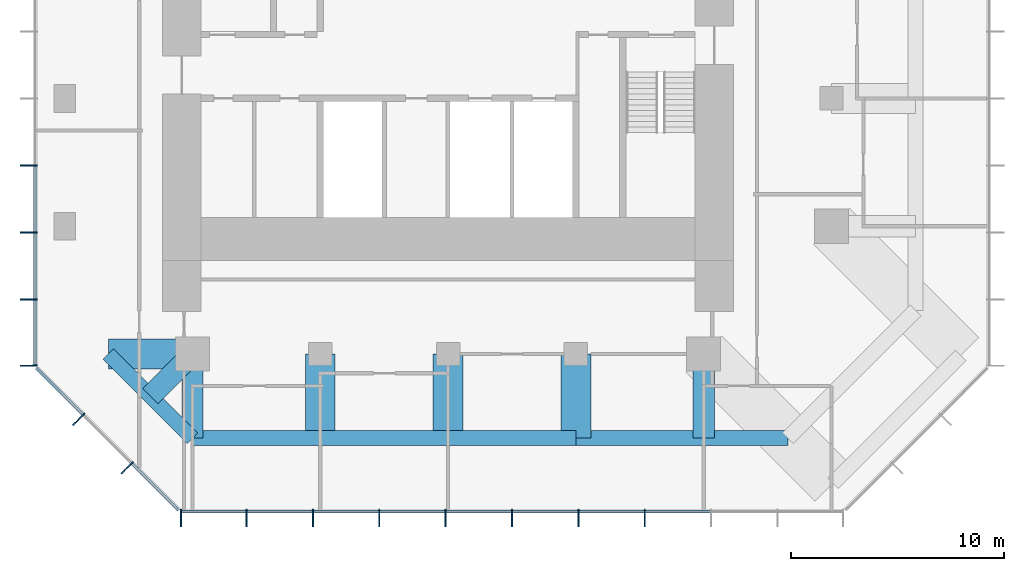
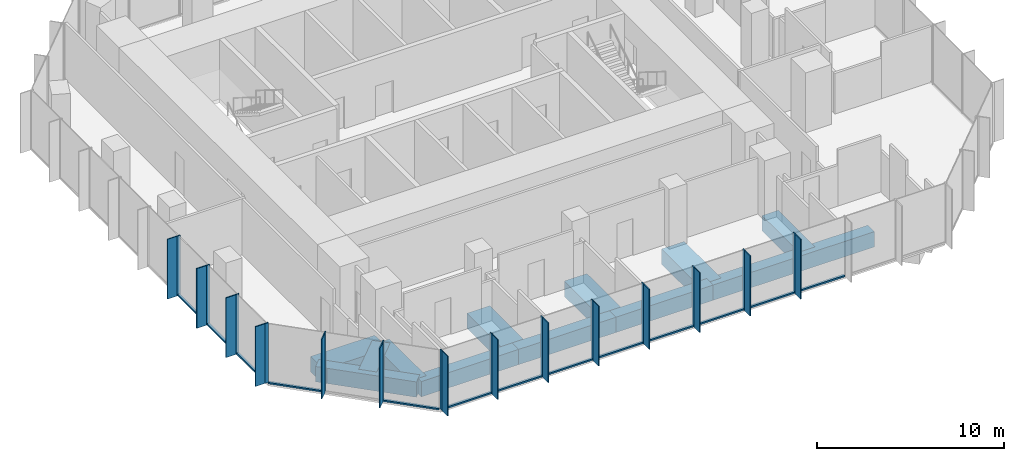
# One storey, part 2 of 11: 41 members, 12 beams, 3 elements without a shape of their own.
"""IFC4 building model written with IfcOpenShell, lengths in metres."""

from ifc_helpers import new_model, si_unit, direction, frame, origin, origin_2d, place, context, subcontext, project, spatial, rectangle, extrude, material, layer, layer_set, material_profile, profile_set, type_object, element, aggregate, save


model = new_model("IFC4")

# Units and contexts
model_context = context("Model", 3, precision=1e-05, world=origin(), true_north=direction((0.0, 1.0)))
body_context = subcontext(model_context, "Body", "Model", "MODEL_VIEW")
ifc_project = project(units=[si_unit("LENGTHUNIT", "METRE"), si_unit("AREAUNIT", "SQUARE_METRE"), si_unit("VOLUMEUNIT", "CUBIC_METRE"), si_unit("PLANEANGLEUNIT", "RADIAN"), si_unit("MASSUNIT", "GRAM", prefix="KILO")], contexts=[model_context])

# Site, building, storey
site_placement = place(None, origin())
site = spatial("IfcSite", under=ifc_project, at=site_placement, CompositionType="ELEMENT")
building_placement = place(site_placement, origin())
building = spatial("IfcBuilding", under=site, at=building_placement, Name="Highveld Stack Headquarters", CompositionType="ELEMENT")
storey_placement = place(building_placement, frame((0.0, 0.0, 280.10009765625)))
storey = spatial("IfcBuildingStorey", under=building, at=storey_placement, Name="L69", CompositionType="ELEMENT", Elevation=280.10009765625)

# Beams
ifc_material_1 = material(Name="Concrete C60/75", Category="concrete")
ifc_material_profile_1 = material_profile(ifc_material_1, rectangle(XDim=1.0, YDim=1.0, at=origin_2d()), Name="RC 1000x1000")
ifc_profile_set_1 = profile_set([ifc_material_profile_1], Name="Concrete C60/75")
beam_type_1 = type_object("IfcBeamType", Name="CANTILEVER RIB RC 1000x1000", PredefinedType="USERDEFINED", material=ifc_profile_set_1)
beam_1_placement = place(storey_placement, frame((-6.0, -12.0, -0.75), z_axis=(0.0, -1.0, 0.0), x_axis=(1.0, 0.0, 0.0)))
element("IfcBeam", 1, at=beam_1_placement, inside=storey, type_object=beam_type_1, Name="Cantilever rib 5/C L69", ObjectType="CANTILEVER RIB", PredefinedType="USERDEFINED", context=body_context, shape_type="SweptSolid", body=[
    extrude(rectangle(XDim=1.0, YDim=1.0, at=origin_2d()), origin(), (0.0, 0.0, 1.0), 3.949951171875),
])
beam_2_placement = place(storey_placement, frame((-6.0, -12.0, -0.75), z_axis=(-0.707106781187, -0.707106781187, 0.0), x_axis=(0.707106781187, -0.707106781187, 0.0)))
element("IfcBeam", 2, at=beam_2_placement, inside=storey, type_object=beam_type_1, Name="Cantilever rib 5/C L69", ObjectType="CANTILEVER RIB", PredefinedType="USERDEFINED", context=body_context, shape_type="SweptSolid", body=[
    extrude(rectangle(XDim=1.0, YDim=1.0, at=origin_2d()), origin(), (0.0, 0.0, 1.0), 2.793212890625),
])
beam_3_placement = place(storey_placement, frame((18.0, -12.0, -0.75), z_axis=(0.0, -1.0, 0.0), x_axis=(1.0, 0.0, 0.0)))
element("IfcBeam", 3, at=beam_3_placement, inside=storey, type_object=beam_type_1, Name="Cantilever rib 9/C L69", ObjectType="CANTILEVER RIB", PredefinedType="USERDEFINED", context=body_context, shape_type="SweptSolid", body=[
    extrude(rectangle(XDim=1.0, YDim=1.0, at=origin_2d()), origin(), (0.0, 0.0, 1.0), 3.949951171875),
])
ifc_material_2 = material(Name="Concrete C60/75", Category="concrete")
ifc_material_profile_2 = material_profile(ifc_material_2, rectangle(XDim=1.39990234375, YDim=1.0, at=origin_2d()), Name="RC 1400x1000")
ifc_profile_set_2 = profile_set([ifc_material_profile_2], Name="Concrete C60/75")
beam_type_2 = type_object("IfcBeamType", Name="CANTILEVER RIB RC 1400x1000", PredefinedType="USERDEFINED", material=ifc_profile_set_2)
for number, where, z_axis, x_axis, name in (
    (4, (-6.0, -12.0, -0.75), (-1.0, 0.0, 0.0), (0.0, -1.0, 0.0), "Cantilever rib 5/C L69"),
    (5, (0.0, -12.0, -0.75), (0.0, -1.0, 0.0), (1.0, 0.0, 0.0), "Cantilever rib 6/C L69"),
    (6, (6.0, -12.0, -0.75), (0.0, -1.0, 0.0), (1.0, 0.0, 0.0), "Cantilever rib 7/C L69"),
    (7, (12.0, -12.0, -0.75), (0.0, -1.0, 0.0), (1.0, 0.0, 0.0), "Cantilever rib 8/C L69"),
):
    element("IfcBeam", number, at=place(storey_placement, frame(where, z_axis=z_axis, x_axis=x_axis)), inside=storey, type_object=beam_type_2, Name=name, ObjectType="CANTILEVER RIB", PredefinedType="USERDEFINED", context=body_context, shape_type="SweptSolid", body=[
        extrude(rectangle(XDim=1.39990234375, YDim=1.0, at=origin_2d()), origin(), (0.0, 0.0, 1.0), 3.949951171875),
    ])

# Curtain wall, members
ifc_material_3 = material(Name="Aluminium bronze anodised", Category="aluminium")
ifc_layer = layer(ifc_material_3, 0.199951171875)
ifc_layer_set = layer_set([ifc_layer], Name="Aluminium bronze anodised")
curtain_wall_type = type_object("IfcCurtainWallType", Name="CW5 EXECUTIVE UNITISED CURTAIN WALL", PredefinedType="NOTDEFINED", material=ifc_layer_set)
curtain_wall_1_placement = place(storey_placement, origin())
curtain_wall_1 = element("IfcCurtainWall", 8, at=curtain_wall_1_placement, inside=storey, type_object=curtain_wall_type, Name="Curtain wall CW5 L69 S", PredefinedType="NOTDEFINED")
ifc_material_4 = material(Name="Aluminium bronze anodised", Category="aluminium")
ifc_material_profile_3 = material_profile(ifc_material_4, rectangle(XDim=0.60009765625, YDim=0.06005859375, at=origin_2d()), Name="FIN 600x60")
ifc_profile_set_3 = profile_set([ifc_material_profile_3], Name="Aluminium bronze anodised")
member_type_1 = type_object("IfcMemberType", Name="CW5 BRONZE FIN 600x60", PredefinedType="USERDEFINED", material=ifc_profile_set_3)
member_1_placement = place(storey_placement, frame((-6.54736328125, -19.800048828125, 0.0), z_axis=(0.0, 0.0, 1.0), x_axis=(0.0, 1.0, 0.0)))
member_1 = element("IfcMember", 9, at=member_1_placement, type_object=member_type_1, Name="CW5 fin L69 1", ObjectType="FIN", PredefinedType="USERDEFINED", context=body_context, shape_type="SweptSolid", body=[
    extrude(rectangle(XDim=0.60009765625, YDim=0.06005859375, at=origin_2d()), origin(), (0.0, 0.0, 1.0), 3.89990234375),
])
member_2_placement = place(storey_placement, frame((-3.4638671875, -19.800048828125, 0.0), z_axis=(0.0, 0.0, 1.0), x_axis=(0.0, 1.0, 0.0)))
member_2 = element("IfcMember", 10, at=member_2_placement, type_object=member_type_1, Name="CW5 fin L69 2", ObjectType="FIN", PredefinedType="USERDEFINED", context=body_context, shape_type="SweptSolid", body=[
    extrude(rectangle(XDim=0.60009765625, YDim=0.06005859375, at=origin_2d()), origin(), (0.0, 0.0, 1.0), 3.89990234375),
])
member_3_placement = place(storey_placement, frame((-0.347900390625, -19.800048828125, 0.0), z_axis=(0.0, 0.0, 1.0), x_axis=(0.0, 1.0, 0.0)))
member_3 = element("IfcMember", 11, at=member_3_placement, type_object=member_type_1, Name="CW5 fin L69 3", ObjectType="FIN", PredefinedType="USERDEFINED", context=body_context, shape_type="SweptSolid", body=[
    extrude(rectangle(XDim=0.60009765625, YDim=0.06005859375, at=origin_2d()), origin(), (0.0, 0.0, 1.0), 3.89990234375),
])
member_4_placement = place(storey_placement, frame((2.76806640625, -19.800048828125, 0.0), z_axis=(0.0, 0.0, 1.0), x_axis=(0.0, 1.0, 0.0)))
member_4 = element("IfcMember", 12, at=member_4_placement, type_object=member_type_1, Name="CW5 fin L69 4", ObjectType="FIN", PredefinedType="USERDEFINED", context=body_context, shape_type="SweptSolid", body=[
    extrude(rectangle(XDim=0.60009765625, YDim=0.06005859375, at=origin_2d()), origin(), (0.0, 0.0, 1.0), 3.89990234375),
])
member_5_placement = place(storey_placement, frame((5.884033203125, -19.800048828125, 0.0), z_axis=(0.0, 0.0, 1.0), x_axis=(0.0, 1.0, 0.0)))
member_5 = element("IfcMember", 13, at=member_5_placement, type_object=member_type_1, Name="CW5 fin L69 5", ObjectType="FIN", PredefinedType="USERDEFINED", context=body_context, shape_type="SweptSolid", body=[
    extrude(rectangle(XDim=0.60009765625, YDim=0.06005859375, at=origin_2d()), origin(), (0.0, 0.0, 1.0), 3.89990234375),
])
member_6_placement = place(storey_placement, frame((9.0, -19.800048828125, 0.0), z_axis=(0.0, 0.0, 1.0), x_axis=(0.0, 1.0, 0.0)))
member_6 = element("IfcMember", 14, at=member_6_placement, type_object=member_type_1, Name="CW5 fin L69 6", ObjectType="FIN", PredefinedType="USERDEFINED", context=body_context, shape_type="SweptSolid", body=[
    extrude(rectangle(XDim=0.60009765625, YDim=0.06005859375, at=origin_2d()), origin(), (0.0, 0.0, 1.0), 3.89990234375),
])
member_7_placement = place(storey_placement, frame((12.115966796875, -19.800048828125, 0.0), z_axis=(0.0, 0.0, 1.0), x_axis=(0.0, 1.0, 0.0)))
member_7 = element("IfcMember", 15, at=member_7_placement, type_object=member_type_1, Name="CW5 fin L69 7", ObjectType="FIN", PredefinedType="USERDEFINED", context=body_context, shape_type="SweptSolid", body=[
    extrude(rectangle(XDim=0.60009765625, YDim=0.06005859375, at=origin_2d()), origin(), (0.0, 0.0, 1.0), 3.89990234375),
])
member_8_placement = place(storey_placement, frame((15.23193359375, -19.800048828125, 0.0), z_axis=(0.0, 0.0, 1.0), x_axis=(0.0, 1.0, 0.0)))
member_8 = element("IfcMember", 16, at=member_8_placement, type_object=member_type_1, Name="CW5 fin L69 8", ObjectType="FIN", PredefinedType="USERDEFINED", context=body_context, shape_type="SweptSolid", body=[
    extrude(rectangle(XDim=0.60009765625, YDim=0.06005859375, at=origin_2d()), origin(), (0.0, 0.0, 1.0), 3.89990234375),
])

curtain_wall_2_placement = place(storey_placement, origin())
curtain_wall_2 = element("IfcCurtainWall", 17, at=curtain_wall_2_placement, inside=storey, type_object=curtain_wall_type, Name="Curtain wall CW5 L69 W", PredefinedType="NOTDEFINED")
member_9_placement = place(storey_placement, frame((-13.800048828125, -3.14501953125, 0.0), z_axis=(0.0, 0.0, 1.0), x_axis=(1.0, 0.0, 0.0)))
member_9 = element("IfcMember", 18, at=member_9_placement, type_object=member_type_1, Name="CW5 fin L69 6", ObjectType="FIN", PredefinedType="USERDEFINED", context=body_context, shape_type="SweptSolid", body=[
    extrude(rectangle(XDim=0.60009765625, YDim=0.06005859375, at=origin_2d()), origin(), (0.0, 0.0, 1.0), 3.89990234375),
])
member_10_placement = place(storey_placement, frame((-13.800048828125, -6.289794921875, 0.0), z_axis=(0.0, 0.0, 1.0), x_axis=(1.0, 0.0, 0.0)))
member_10 = element("IfcMember", 19, at=member_10_placement, type_object=member_type_1, Name="CW5 fin L69 7", ObjectType="FIN", PredefinedType="USERDEFINED", context=body_context, shape_type="SweptSolid", body=[
    extrude(rectangle(XDim=0.60009765625, YDim=0.06005859375, at=origin_2d()), origin(), (0.0, 0.0, 1.0), 3.89990234375),
])
member_11_placement = place(storey_placement, frame((-13.800048828125, -9.434814453125, 0.0), z_axis=(0.0, 0.0, 1.0), x_axis=(1.0, 0.0, 0.0)))
member_11 = element("IfcMember", 20, at=member_11_placement, type_object=member_type_1, Name="CW5 fin L69 8", ObjectType="FIN", PredefinedType="USERDEFINED", context=body_context, shape_type="SweptSolid", body=[
    extrude(rectangle(XDim=0.60009765625, YDim=0.06005859375, at=origin_2d()), origin(), (0.0, 0.0, 1.0), 3.89990234375),
])
member_12_placement = place(storey_placement, frame((-13.800048828125, -12.54736328125, 0.0), z_axis=(0.0, 0.0, 1.0), x_axis=(1.0, 0.0, 0.0)))
member_12 = element("IfcMember", 21, at=member_12_placement, type_object=member_type_1, Name="CW5 fin L69 9", ObjectType="FIN", PredefinedType="USERDEFINED", context=body_context, shape_type="SweptSolid", body=[
    extrude(rectangle(XDim=0.60009765625, YDim=0.06005859375, at=origin_2d()), origin(), (0.0, 0.0, 1.0), 3.89990234375),
])

curtain_wall_3_placement = place(storey_placement, origin())
curtain_wall_3 = element("IfcCurtainWall", 22, at=curtain_wall_3_placement, inside=storey, type_object=curtain_wall_type, Name="Curtain wall CW5 L69 SW", PredefinedType="NOTDEFINED")
member_13_placement = place(storey_placement, frame((-11.409423828125, -15.135986328125, 0.0), z_axis=(0.0, 0.0, 1.0), x_axis=(0.707106781187, 0.707106781187, 0.0)))
member_13 = element("IfcMember", 23, at=member_13_placement, type_object=member_type_1, Name="CW5 fin L69 1", ObjectType="FIN", PredefinedType="USERDEFINED", context=body_context, shape_type="SweptSolid", body=[
    extrude(rectangle(XDim=0.60009765625, YDim=0.06005859375, at=origin_2d()), origin(), (0.0, 0.0, 1.0), 3.89990234375),
])
member_14_placement = place(storey_placement, frame((-9.135986328125, -17.409423828125, 0.0), z_axis=(0.0, 0.0, 1.0), x_axis=(0.707106781187, 0.707106781187, 0.0)))
member_14 = element("IfcMember", 24, at=member_14_placement, type_object=member_type_1, Name="CW5 fin L69 2", ObjectType="FIN", PredefinedType="USERDEFINED", context=body_context, shape_type="SweptSolid", body=[
    extrude(rectangle(XDim=0.60009765625, YDim=0.06005859375, at=origin_2d()), origin(), (0.0, 0.0, 1.0), 3.89990234375),
])

# Member
ifc_material_5 = material(Name="Aluminium bronze anodised", Category="aluminium")
ifc_material_profile_4 = material_profile(ifc_material_5, rectangle(XDim=0.199951171875, YDim=0.06494140625, at=origin_2d()), Name="CW5 MULLION 65x200")
ifc_profile_set_4 = profile_set([ifc_material_profile_4], Name="Aluminium bronze anodised")
member_type_2 = type_object("IfcMemberType", Name="CW5 MULLION 65x200", PredefinedType="MULLION", material=ifc_profile_set_4)
member_15_placement = place(storey_placement, frame((-6.54736328125, -19.39990234375, 0.0), z_axis=(0.0, 0.0, 1.0), x_axis=(0.0, 1.0, 0.0)))
member_15 = element("IfcMember", 25, at=member_15_placement, type_object=member_type_2, Name="CW5 mullion L69 1", PredefinedType="MULLION", context=body_context, shape_type="SweptSolid", body=[
    extrude(rectangle(XDim=0.199951171875, YDim=0.06494140625, at=origin_2d()), origin(), (0.0, 0.0, 1.0), 3.89990234375),
])

member_16_placement = place(storey_placement, frame((-3.4638671875, -19.39990234375, 0.0), z_axis=(0.0, 0.0, 1.0), x_axis=(0.0, 1.0, 0.0)))
member_16 = element("IfcMember", 26, at=member_16_placement, type_object=member_type_2, Name="CW5 mullion L69 2", PredefinedType="MULLION", context=body_context, shape_type="SweptSolid", body=[
    extrude(rectangle(XDim=0.199951171875, YDim=0.06494140625, at=origin_2d()), origin(), (0.0, 0.0, 1.0), 3.89990234375),
])

member_17_placement = place(storey_placement, frame((-0.347900390625, -19.39990234375, 0.0), z_axis=(0.0, 0.0, 1.0), x_axis=(0.0, 1.0, 0.0)))
member_17 = element("IfcMember", 27, at=member_17_placement, type_object=member_type_2, Name="CW5 mullion L69 3", PredefinedType="MULLION", context=body_context, shape_type="SweptSolid", body=[
    extrude(rectangle(XDim=0.199951171875, YDim=0.06494140625, at=origin_2d()), origin(), (0.0, 0.0, 1.0), 3.89990234375),
])

member_18_placement = place(storey_placement, frame((2.76806640625, -19.39990234375, 0.0), z_axis=(0.0, 0.0, 1.0), x_axis=(0.0, 1.0, 0.0)))
member_18 = element("IfcMember", 28, at=member_18_placement, type_object=member_type_2, Name="CW5 mullion L69 4", PredefinedType="MULLION", context=body_context, shape_type="SweptSolid", body=[
    extrude(rectangle(XDim=0.199951171875, YDim=0.06494140625, at=origin_2d()), origin(), (0.0, 0.0, 1.0), 3.89990234375),
])

member_19_placement = place(storey_placement, frame((5.884033203125, -19.39990234375, 0.0), z_axis=(0.0, 0.0, 1.0), x_axis=(0.0, 1.0, 0.0)))
member_19 = element("IfcMember", 29, at=member_19_placement, type_object=member_type_2, Name="CW5 mullion L69 5", PredefinedType="MULLION", context=body_context, shape_type="SweptSolid", body=[
    extrude(rectangle(XDim=0.199951171875, YDim=0.06494140625, at=origin_2d()), origin(), (0.0, 0.0, 1.0), 3.89990234375),
])

member_20_placement = place(storey_placement, frame((9.0, -19.39990234375, 0.0), z_axis=(0.0, 0.0, 1.0), x_axis=(0.0, 1.0, 0.0)))
member_20 = element("IfcMember", 30, at=member_20_placement, type_object=member_type_2, Name="CW5 mullion L69 6", PredefinedType="MULLION", context=body_context, shape_type="SweptSolid", body=[
    extrude(rectangle(XDim=0.199951171875, YDim=0.06494140625, at=origin_2d()), origin(), (0.0, 0.0, 1.0), 3.89990234375),
])

member_21_placement = place(storey_placement, frame((12.115966796875, -19.39990234375, 0.0), z_axis=(0.0, 0.0, 1.0), x_axis=(0.0, 1.0, 0.0)))
member_21 = element("IfcMember", 31, at=member_21_placement, type_object=member_type_2, Name="CW5 mullion L69 7", PredefinedType="MULLION", context=body_context, shape_type="SweptSolid", body=[
    extrude(rectangle(XDim=0.199951171875, YDim=0.06494140625, at=origin_2d()), origin(), (0.0, 0.0, 1.0), 3.89990234375),
])

member_22_placement = place(storey_placement, frame((15.23193359375, -19.39990234375, 0.0), z_axis=(0.0, 0.0, 1.0), x_axis=(0.0, 1.0, 0.0)))
member_22 = element("IfcMember", 32, at=member_22_placement, type_object=member_type_2, Name="CW5 mullion L69 8", PredefinedType="MULLION", context=body_context, shape_type="SweptSolid", body=[
    extrude(rectangle(XDim=0.199951171875, YDim=0.06494140625, at=origin_2d()), origin(), (0.0, 0.0, 1.0), 3.89990234375),
])

member_23_placement = place(storey_placement, frame((-13.39990234375, -3.14501953125, 0.0), z_axis=(0.0, 0.0, 1.0), x_axis=(1.0, 0.0, 0.0)))
member_23 = element("IfcMember", 33, at=member_23_placement, type_object=member_type_2, Name="CW5 mullion L69 6", PredefinedType="MULLION", context=body_context, shape_type="SweptSolid", body=[
    extrude(rectangle(XDim=0.199951171875, YDim=0.06494140625, at=origin_2d()), origin(), (0.0, 0.0, 1.0), 3.89990234375),
])

member_24_placement = place(storey_placement, frame((-13.39990234375, -6.289794921875, 0.0), z_axis=(0.0, 0.0, 1.0), x_axis=(1.0, 0.0, 0.0)))
member_24 = element("IfcMember", 34, at=member_24_placement, type_object=member_type_2, Name="CW5 mullion L69 7", PredefinedType="MULLION", context=body_context, shape_type="SweptSolid", body=[
    extrude(rectangle(XDim=0.199951171875, YDim=0.06494140625, at=origin_2d()), origin(), (0.0, 0.0, 1.0), 3.89990234375),
])

member_25_placement = place(storey_placement, frame((-13.39990234375, -9.434814453125, 0.0), z_axis=(0.0, 0.0, 1.0), x_axis=(1.0, 0.0, 0.0)))
member_25 = element("IfcMember", 35, at=member_25_placement, type_object=member_type_2, Name="CW5 mullion L69 8", PredefinedType="MULLION", context=body_context, shape_type="SweptSolid", body=[
    extrude(rectangle(XDim=0.199951171875, YDim=0.06494140625, at=origin_2d()), origin(), (0.0, 0.0, 1.0), 3.89990234375),
])

member_26_placement = place(storey_placement, frame((-13.39990234375, -12.54736328125, 0.0), z_axis=(0.0, 0.0, 1.0), x_axis=(1.0, 0.0, 0.0)))
member_26 = element("IfcMember", 36, at=member_26_placement, type_object=member_type_2, Name="CW5 mullion L69 9", PredefinedType="MULLION", context=body_context, shape_type="SweptSolid", body=[
    extrude(rectangle(XDim=0.199951171875, YDim=0.06494140625, at=origin_2d()), origin(), (0.0, 0.0, 1.0), 3.89990234375),
])

member_27_placement = place(storey_placement, frame((-11.126708984375, -14.853271484375, 0.0), z_axis=(0.0, 0.0, 1.0), x_axis=(0.707106781187, 0.707106781187, 0.0)))
member_27 = element("IfcMember", 37, at=member_27_placement, type_object=member_type_2, Name="CW5 mullion L69 1", PredefinedType="MULLION", context=body_context, shape_type="SweptSolid", body=[
    extrude(rectangle(XDim=0.199951171875, YDim=0.06494140625, at=origin_2d()), origin(), (0.0, 0.0, 1.0), 3.89990234375),
])

member_28_placement = place(storey_placement, frame((-8.853271484375, -17.126708984375, 0.0), z_axis=(0.0, 0.0, 1.0), x_axis=(0.707106781187, 0.707106781187, 0.0)))
member_28 = element("IfcMember", 38, at=member_28_placement, type_object=member_type_2, Name="CW5 mullion L69 2", PredefinedType="MULLION", context=body_context, shape_type="SweptSolid", body=[
    extrude(rectangle(XDim=0.199951171875, YDim=0.06494140625, at=origin_2d()), origin(), (0.0, 0.0, 1.0), 3.89990234375),
])

ifc_material_6 = material(Name="Aluminium bronze anodised", Category="aluminium")
ifc_material_profile_5 = material_profile(ifc_material_6, rectangle(XDim=0.14990234375, YDim=0.10009765625, at=origin_2d()), Name="CW5 TRANSOM 150x100")
ifc_profile_set_5 = profile_set([ifc_material_profile_5], Name="Aluminium bronze anodised")
member_type_3 = type_object("IfcMemberType", Name="CW5 STACK TRANSOM 150x100", PredefinedType="USERDEFINED", material=ifc_profile_set_5)
member_29_placement = place(storey_placement, frame((-6.514892578125, -19.39990234375, 0.0498046875), z_axis=(1.0, 0.0, 0.0), x_axis=(0.0, 1.0, 0.0)))
member_29 = element("IfcMember", 39, at=member_29_placement, type_object=member_type_3, Name="CW5 transom L69 1.1", ObjectType="TRANSOM", PredefinedType="USERDEFINED", context=body_context, shape_type="SweptSolid", body=[
    extrude(rectangle(XDim=0.14990234375, YDim=0.10009765625, at=origin_2d()), origin(), (0.0, 0.0, 1.0), 3.0185546875),
])

member_30_placement = place(storey_placement, frame((-3.431396484375, -19.39990234375, 0.0498046875), z_axis=(1.0, 0.0, 0.0), x_axis=(0.0, 1.0, 0.0)))
member_30 = element("IfcMember", 40, at=member_30_placement, type_object=member_type_3, Name="CW5 transom L69 2.1", ObjectType="TRANSOM", PredefinedType="USERDEFINED", context=body_context, shape_type="SweptSolid", body=[
    extrude(rectangle(XDim=0.14990234375, YDim=0.10009765625, at=origin_2d()), origin(), (0.0, 0.0, 1.0), 3.051025390625),
])

member_31_placement = place(storey_placement, frame((-0.3154296875, -19.39990234375, 0.0498046875), z_axis=(1.0, 0.0, 0.0), x_axis=(0.0, 1.0, 0.0)))
member_31 = element("IfcMember", 41, at=member_31_placement, type_object=member_type_3, Name="CW5 transom L69 3.1", ObjectType="TRANSOM", PredefinedType="USERDEFINED", context=body_context, shape_type="SweptSolid", body=[
    extrude(rectangle(XDim=0.14990234375, YDim=0.10009765625, at=origin_2d()), origin(), (0.0, 0.0, 1.0), 3.051025390625),
])

member_32_placement = place(storey_placement, frame((2.800537109375, -19.39990234375, 0.0498046875), z_axis=(1.0, 0.0, 0.0), x_axis=(0.0, 1.0, 0.0)))
member_32 = element("IfcMember", 42, at=member_32_placement, type_object=member_type_3, Name="CW5 transom L69 4.1", ObjectType="TRANSOM", PredefinedType="USERDEFINED", context=body_context, shape_type="SweptSolid", body=[
    extrude(rectangle(XDim=0.14990234375, YDim=0.10009765625, at=origin_2d()), origin(), (0.0, 0.0, 1.0), 3.051025390625),
])

member_33_placement = place(storey_placement, frame((5.91650390625, -19.39990234375, 0.0498046875), z_axis=(1.0, 0.0, 0.0), x_axis=(0.0, 1.0, 0.0)))
member_33 = element("IfcMember", 43, at=member_33_placement, type_object=member_type_3, Name="CW5 transom L69 5.1", ObjectType="TRANSOM", PredefinedType="USERDEFINED", context=body_context, shape_type="SweptSolid", body=[
    extrude(rectangle(XDim=0.14990234375, YDim=0.10009765625, at=origin_2d()), origin(), (0.0, 0.0, 1.0), 3.051025390625),
])

member_34_placement = place(storey_placement, frame((9.032470703125, -19.39990234375, 0.0498046875), z_axis=(1.0, 0.0, 0.0), x_axis=(0.0, 1.0, 0.0)))
member_34 = element("IfcMember", 44, at=member_34_placement, type_object=member_type_3, Name="CW5 transom L69 6.1", ObjectType="TRANSOM", PredefinedType="USERDEFINED", context=body_context, shape_type="SweptSolid", body=[
    extrude(rectangle(XDim=0.14990234375, YDim=0.10009765625, at=origin_2d()), origin(), (0.0, 0.0, 1.0), 3.051025390625),
])

member_35_placement = place(storey_placement, frame((12.1484375, -19.39990234375, 0.0498046875), z_axis=(1.0, 0.0, 0.0), x_axis=(0.0, 1.0, 0.0)))
member_35 = element("IfcMember", 45, at=member_35_placement, type_object=member_type_3, Name="CW5 transom L69 7.1", ObjectType="TRANSOM", PredefinedType="USERDEFINED", context=body_context, shape_type="SweptSolid", body=[
    extrude(rectangle(XDim=0.14990234375, YDim=0.10009765625, at=origin_2d()), origin(), (0.0, 0.0, 1.0), 3.051025390625),
])

member_36_placement = place(storey_placement, frame((15.264404296875, -19.39990234375, 0.0498046875), z_axis=(1.0, 0.0, 0.0), x_axis=(0.0, 1.0, 0.0)))
member_36 = element("IfcMember", 46, at=member_36_placement, type_object=member_type_3, Name="CW5 transom L69 8.1", ObjectType="TRANSOM", PredefinedType="USERDEFINED", context=body_context, shape_type="SweptSolid", body=[
    extrude(rectangle(XDim=0.14990234375, YDim=0.10009765625, at=origin_2d()), origin(), (0.0, 0.0, 1.0), 3.051025390625),
])

aggregate(curtain_wall_1, [member_15, member_1, member_16, member_2, member_17, member_3, member_18, member_4, member_19, member_5, member_20, member_6, member_21, member_7, member_22, member_8, member_29, member_30, member_31, member_32, member_33, member_34, member_35, member_36])

member_37_placement = place(storey_placement, frame((-13.39990234375, -3.177490234375, 0.0498046875), z_axis=(0.0, -1.0, 0.0), x_axis=(1.0, 0.0, 0.0)))
member_37 = element("IfcMember", 47, at=member_37_placement, type_object=member_type_3, Name="CW5 transom L69 6.1", ObjectType="TRANSOM", PredefinedType="USERDEFINED", context=body_context, shape_type="SweptSolid", body=[
    extrude(rectangle(XDim=0.14990234375, YDim=0.10009765625, at=origin_2d()), origin(), (0.0, 0.0, 1.0), 3.080078125),
])

member_38_placement = place(storey_placement, frame((-13.39990234375, -6.322509765625, 0.0498046875), z_axis=(0.0, -1.0, 0.0), x_axis=(1.0, 0.0, 0.0)))
member_38 = element("IfcMember", 48, at=member_38_placement, type_object=member_type_3, Name="CW5 transom L69 7.1", ObjectType="TRANSOM", PredefinedType="USERDEFINED", context=body_context, shape_type="SweptSolid", body=[
    extrude(rectangle(XDim=0.14990234375, YDim=0.10009765625, at=origin_2d()), origin(), (0.0, 0.0, 1.0), 3.079833984375),
])

member_39_placement = place(storey_placement, frame((-13.39990234375, -9.46728515625, 0.0498046875), z_axis=(0.0, -1.0, 0.0), x_axis=(1.0, 0.0, 0.0)))
member_39 = element("IfcMember", 49, at=member_39_placement, type_object=member_type_3, Name="CW5 transom L69 8.1", ObjectType="TRANSOM", PredefinedType="USERDEFINED", context=body_context, shape_type="SweptSolid", body=[
    extrude(rectangle(XDim=0.14990234375, YDim=0.10009765625, at=origin_2d()), origin(), (0.0, 0.0, 1.0), 3.047607421875),
])

aggregate(curtain_wall_2, [member_23, member_9, member_24, member_10, member_25, member_11, member_26, member_12, member_37, member_38, member_39])

member_40_placement = place(storey_placement, frame((-13.329345703125, -12.650634765625, 0.0498046875), z_axis=(0.707106781187, -0.707106781187, 0.0), x_axis=(0.707106781187, 0.707106781187, 0.0)))
member_40 = element("IfcMember", 50, at=member_40_placement, type_object=member_type_3, Name="CW5 transom L69 1.1", ObjectType="TRANSOM", PredefinedType="USERDEFINED", context=body_context, shape_type="SweptSolid", body=[
    extrude(rectangle(XDim=0.14990234375, YDim=0.10009765625, at=origin_2d()), origin(), (0.0, 0.0, 1.0), 3.08251953125),
])

member_41_placement = place(storey_placement, frame((-8.830322265625, -17.149658203125, 0.0498046875), z_axis=(0.707106781187, -0.707106781187, 0.0), x_axis=(0.707106781187, 0.707106781187, 0.0)))
member_41 = element("IfcMember", 51, at=member_41_placement, type_object=member_type_3, Name="CW5 transom L69 3.1", ObjectType="TRANSOM", PredefinedType="USERDEFINED", context=body_context, shape_type="SweptSolid", body=[
    extrude(rectangle(XDim=0.14990234375, YDim=0.10009765625, at=origin_2d()), origin(), (0.0, 0.0, 1.0), 3.08251953125),
])

aggregate(curtain_wall_3, [member_27, member_13, member_28, member_14, member_40, member_41])

# Beams
ifc_material_7 = material(Name="Concrete C60/75", Category="concrete")
ifc_material_profile_6 = material_profile(ifc_material_7, rectangle(XDim=0.699951171875, YDim=1.0, at=origin_2d()), Name="RC 700x1000")
ifc_profile_set_6 = profile_set([ifc_material_profile_6], Name="Concrete C60/75")
beam_type_3 = type_object("IfcBeamType", Name="RIB TIP BEAM RC 700x1000", PredefinedType="SPANDREL", material=ifc_profile_set_6)
for number, where, z_axis, x_axis, name in (
    (52, (-6.0, -15.949951171875, -0.75), (1.0, 0.0, 0.0), (0.0, 1.0, 0.0), "Rib tip beam 5/C to 6/C L69"),
    (53, (0.0, -15.949951171875, -0.75), (1.0, 0.0, 0.0), (0.0, 1.0, 0.0), "Rib tip beam 6/C to 7/C L69"),
    (54, (6.0, -15.949951171875, -0.75), (1.0, 0.0, 0.0), (0.0, 1.0, 0.0), "Rib tip beam 7/C to 8/C L69"),
):
    element("IfcBeam", number, at=place(storey_placement, frame(where, z_axis=z_axis, x_axis=x_axis)), inside=storey, type_object=beam_type_3, Name=name, PredefinedType="SPANDREL", context=body_context, shape_type="SweptSolid", body=[
        extrude(rectangle(XDim=0.699951171875, YDim=1.0, at=origin_2d()), origin(), (0.0, 0.0, 1.0), 6.0),
    ])
beam_4_placement = place(storey_placement, frame((12.0, -15.949951171875, -0.75), z_axis=(1.0, 0.0, 0.0), x_axis=(0.0, 1.0, 0.0)))
element("IfcBeam", 55, at=beam_4_placement, inside=storey, type_object=beam_type_3, Name="Rib tip beam 8/C to 9/C L69", PredefinedType="SPANDREL", context=body_context, shape_type="SweptSolid", body=[
    extrude(rectangle(XDim=0.699951171875, YDim=1.0, at=origin_2d()), origin(), (0.0, 0.0, 1.0), 9.949951171875),
])
beam_5_placement = place(storey_placement, frame((-9.949951171875, -12.0, -0.75), z_axis=(0.707106781187, -0.707106781187, 0.0), x_axis=(0.707106781187, 0.707106781187, 0.0)))
element("IfcBeam", 56, at=beam_5_placement, inside=storey, type_object=beam_type_3, Name="Rib tip beam 5/C corner L69", PredefinedType="SPANDREL", context=body_context, shape_type="SweptSolid", body=[
    extrude(rectangle(XDim=0.699951171875, YDim=1.0, at=origin_2d()), origin(), (0.0, 0.0, 1.0), 5.586181640625),
])

save(model, "model.ifc")
